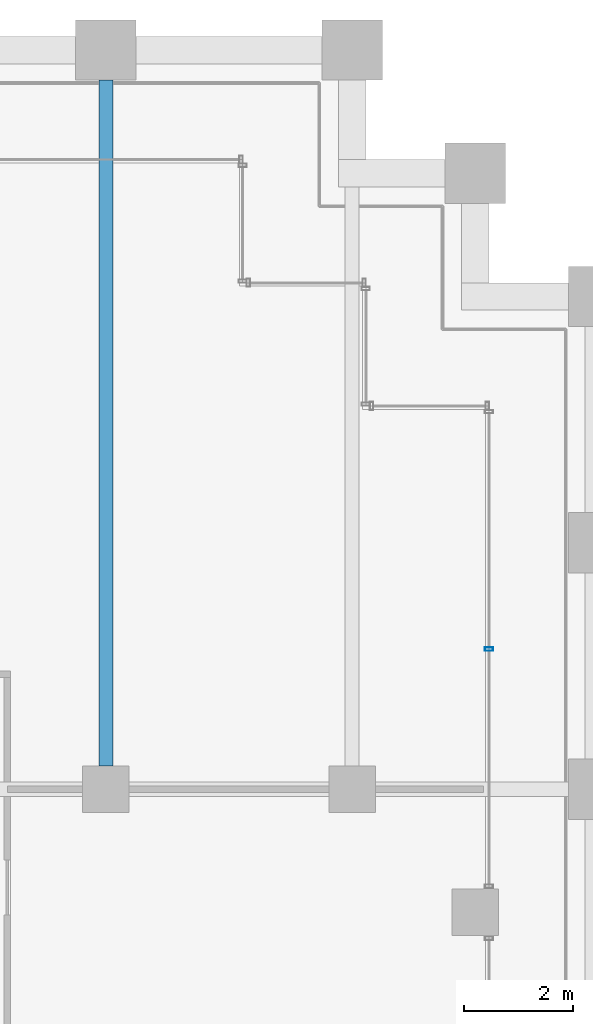
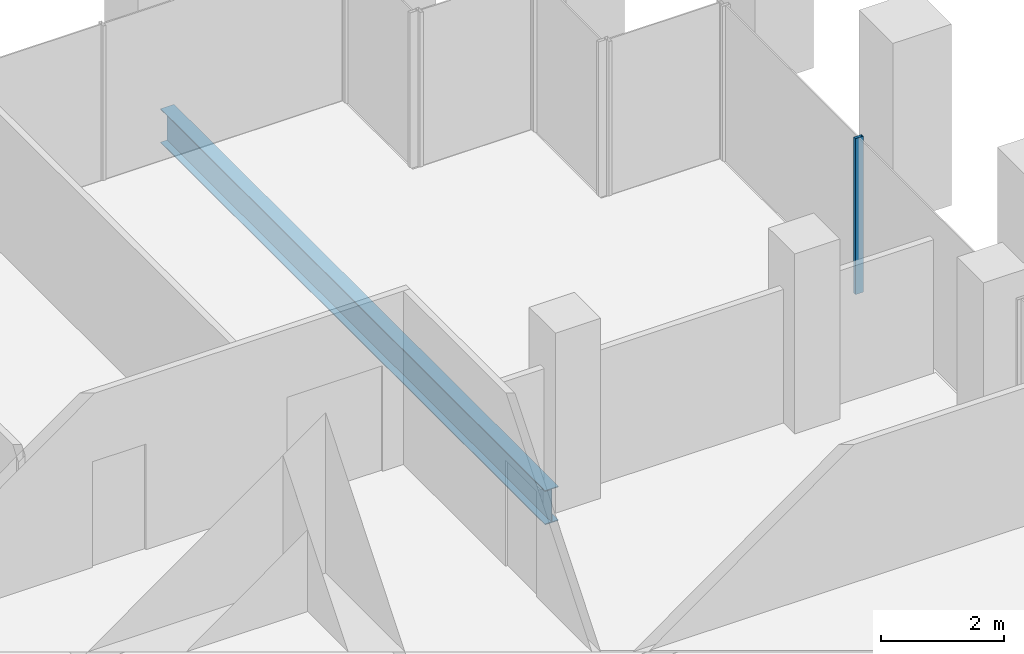
# One storey, part 30 of 56: 1 beam, 1 member, 1 element without a shape of its own.
"""IFC4 building model written with IfcOpenShell, lengths in metres."""

from ifc_helpers import new_model, si_unit, direction, frame, origin, origin_2d, place, context, subcontext, project, spatial, hollow_rectangle, i_section, extrude, material, material_profile, profile_set, type_object, element, aggregate, save


model = new_model("IFC4")

# Units and contexts
model_context = context("Model", 3, precision=1e-05, world=origin(), true_north=direction((0.0, 1.0)))
body_context = subcontext(model_context, "Body", "Model", "MODEL_VIEW")
ifc_project = project(units=[si_unit("LENGTHUNIT", "METRE"), si_unit("AREAUNIT", "SQUARE_METRE"), si_unit("VOLUMEUNIT", "CUBIC_METRE"), si_unit("PLANEANGLEUNIT", "RADIAN"), si_unit("MASSUNIT", "GRAM", prefix="KILO")], contexts=[model_context])

# Site, building, storey
site_placement = place(None, origin())
site = spatial("IfcSite", under=ifc_project, at=site_placement, CompositionType="ELEMENT")
building_placement = place(site_placement, origin())
building = spatial("IfcBuilding", under=site, at=building_placement, Name="Altepetl Exchange Towers", CompositionType="ELEMENT")
storey_placement = place(building_placement, frame((0.0, 0.0, 51.0)))
storey = spatial("IfcBuildingStorey", under=building, at=storey_placement, Name="L11", CompositionType="ELEMENT", Elevation=51.0)

# Beam
ifc_material_1 = material(Name="Steel S355", Category="steel")
ifc_material_profile_1 = material_profile(ifc_material_1, i_section(OverallWidth=0.25390625, OverallDepth=0.68408203125, WebThickness=0.012451171875, FlangeThickness=0.018798828125, at=origin_2d()), Name="W27X94")
ifc_profile_set_1 = profile_set([ifc_material_profile_1], Name="Steel S355")
beam_type = type_object("IfcBeamType", Name="Floor beam W27X94", PredefinedType="BEAM", material=ifc_profile_set_1)
beam_placement = place(storey_placement, frame((63.0, 58.925048828125, -0.491943359375), z_axis=(0.0, 1.0, 0.0), x_axis=(-1.0, 0.0, 0.0)))
element("IfcBeam", 1, at=beam_placement, inside=storey, type_object=beam_type, Name="bm:A:L11:004", PredefinedType="BEAM", context=body_context, shape_type="SweptSolid", body=[
    extrude(i_section(OverallWidth=0.25390625, OverallDepth=0.68408203125, WebThickness=0.012451171875, FlangeThickness=0.018798828125, at=origin_2d()), origin(), (0.0, 0.0, 1.0), 12.52490234375),
])

# Curtain wall, member
ifc_material_2 = material(Name="Aluminium 6063-T6 glazing", Category="aluminium")
curtain_wall_type = type_object("IfcCurtainWallType", Name="Loggia glazing system", PredefinedType="NOTDEFINED", material=ifc_material_2)
curtain_wall_placement = place(storey_placement, origin())
curtain_wall = element("IfcCurtainWall", 2, at=curtain_wall_placement, inside=storey, type_object=curtain_wall_type, Name="CW1 run", PredefinedType="NOTDEFINED")
ifc_material_3 = material(Name="Aluminium 6063-T6", Category="aluminium")
ifc_material_profile_2 = material_profile(ifc_material_3, hollow_rectangle(XDim=0.06005859375, YDim=0.14990234375, WallThickness=0.0029296875, at=origin_2d()), Name="Mullion 60x150 aluminium")
ifc_profile_set_2 = profile_set([ifc_material_profile_2], Name="Aluminium 6063-T6")
member_type = type_object("IfcMemberType", Name="Mullion 60x150 aluminium", PredefinedType="MULLION", material=ifc_profile_set_2)
member_placement = place(storey_placement, frame((70.0, 61.06005859375, 0.0), z_axis=(0.0, 0.0, 1.0), x_axis=(0.0, 1.0, 0.0)))
member = element("IfcMember", 3, at=member_placement, type_object=member_type, Name="MU1 mullion", PredefinedType="MULLION", context=body_context, shape_type="SweptSolid", body=[
    extrude(hollow_rectangle(XDim=0.06005859375, YDim=0.14990234375, WallThickness=0.0029296875, at=origin_2d()), origin(), (0.0, 0.0, 1.0), 3.10009765625),
])
aggregate(curtain_wall, [member])

save(model, "model.ifc")
